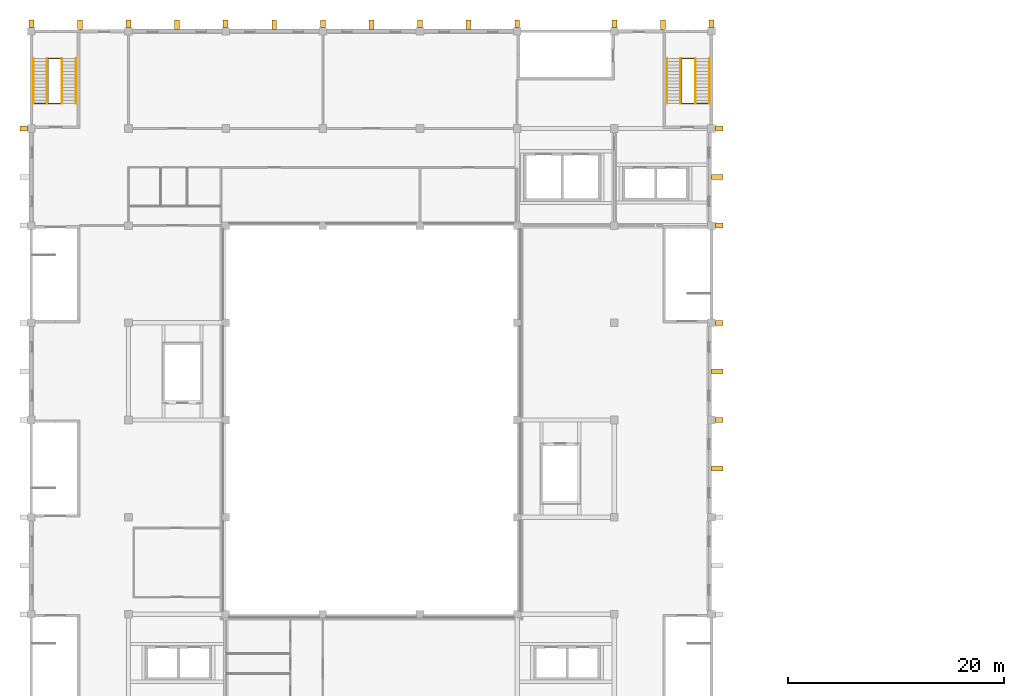
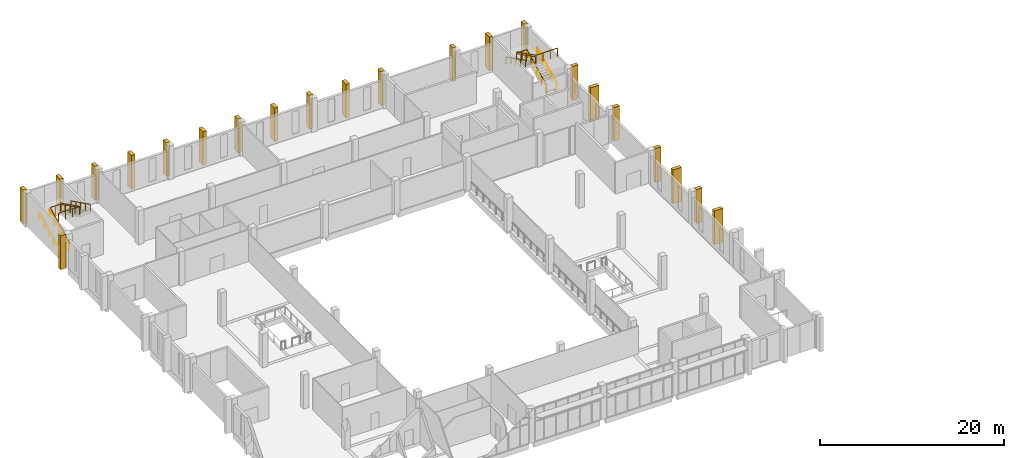
# One storey, part 38 of 40: 22 coverings, 10 railings.
"""IFC4 building model written with IfcOpenShell, lengths in metres."""

from ifc_helpers import new_model, si_unit, direction, frame, origin, origin_2d, place, context, subcontext, project, spatial, rectangle, circle, extrude, material, layer, layer_set, type_object, element, save


model = new_model("IFC4")

# Units and contexts
model_context = context("Model", 3, precision=1e-05, world=origin(), true_north=direction((0.0, 1.0)))
body_context = subcontext(model_context, "Body", "Model", "MODEL_VIEW")
ifc_project = project(units=[si_unit("LENGTHUNIT", "METRE"), si_unit("AREAUNIT", "SQUARE_METRE"), si_unit("VOLUMEUNIT", "CUBIC_METRE"), si_unit("PLANEANGLEUNIT", "RADIAN"), si_unit("MASSUNIT", "GRAM", prefix="KILO")], contexts=[model_context])

# Site, building, storey
site_placement = place(None, origin())
site = spatial("IfcSite", under=ifc_project, at=site_placement, CompositionType="ELEMENT")
building_placement = place(site_placement, origin())
building = spatial("IfcBuilding", under=site, at=building_placement, Name="Guidao Yard Department Store", CompositionType="ELEMENT")
storey_placement = place(building_placement, frame((0.0, 0.0, 24.0)))
storey = spatial("IfcBuildingStorey", under=building, at=storey_placement, Name="L05", CompositionType="ELEMENT", Elevation=24.0)

# Railings
ifc_material_1 = material(Name="Steel Q235", Category="steel")
railing_type_1 = type_object("IfcRailingType", Name="Guard steel balustrade 1100", PredefinedType="GUARDRAIL", material=ifc_material_1)
railing_1_placement = place(storey_placement, frame((1.52490234375, 101.300048828125, 0.14990234375)))
element("IfcRailing", 1, at=railing_1_placement, inside=storey, type_object=railing_type_1, Name="Stair A5 guard L05 5", PredefinedType="GUARDRAIL", context=body_context, shape_type="SweptSolid", body=[
    extrude(circle(Radius=0.02392578125, at=origin_2d()), frame((0.0, 0.0, 1.076171875), z_axis=(0.0, 0.894416792377, 0.447234392142), x_axis=(-1.0, 0.0, 0.0)), (0.0, 0.0, 1.0), 4.69580078125),
    extrude(circle(Radius=0.02392578125, at=origin_2d()), frame((0.0, 4.199951171875, 3.17626953125), z_axis=(1.0, 0.0, 0.0), x_axis=(0.0, 1.0, 0.0)), (0.0, 0.0, 1.0), 1.275146484375),
    extrude(circle(Radius=0.02392578125, at=origin_2d()), frame((1.275146484375, 4.199951171875, 3.17626953125), z_axis=(0.0, 0.0, 1.0), x_axis=(1.0, 0.0, 0.0)), (0.0, 0.0, 1.0), 0.14990234375),
    extrude(circle(Radius=0.02392578125, at=origin_2d()), frame((1.275146484375, 4.199951171875, 3.326171875), z_axis=(0.0, -0.894416792377, 0.447234392142), x_axis=(1.0, 0.0, 0.0)), (0.0, 0.0, 1.0), 4.69580078125),
    extrude(circle(Radius=0.02392578125, at=origin_2d()), frame((1.275146484375, 0.0, 5.42626953125), z_axis=(-1.0, 0.0, 0.0), x_axis=(0.0, -1.0, 0.0)), (0.0, 0.0, 1.0), 2.675048828125),
    extrude(circle(Radius=0.02099609375, at=origin_2d()), origin(), (0.0, 0.0, 1.0), 1.052001953125),
    extrude(circle(Radius=0.02099609375, at=origin_2d()), frame((0.0, 1.050048828125, 0.52490234375)), (0.0, 0.0, 1.0), 1.052001953125),
    extrude(circle(Radius=0.02099609375, at=origin_2d()), frame((0.0, 2.10009765625, 1.050048828125)), (0.0, 0.0, 1.0), 1.052001953125),
    extrude(circle(Radius=0.02099609375, at=origin_2d()), frame((0.0, 3.14990234375, 1.5751953125)), (0.0, 0.0, 1.0), 1.052001953125),
    extrude(circle(Radius=0.02099609375, at=origin_2d()), frame((0.0, 4.199951171875, 2.10009765625)), (0.0, 0.0, 1.0), 1.052001953125),
    extrude(circle(Radius=0.02099609375, at=origin_2d()), frame((0.6376953125, 4.199951171875, 2.10009765625)), (0.0, 0.0, 1.0), 1.052001953125),
    extrude(circle(Radius=0.02099609375, at=origin_2d()), frame((1.275146484375, 4.199951171875, 2.10009765625)), (0.0, 0.0, 1.0), 1.052001953125),
    extrude(circle(Radius=0.02099609375, at=origin_2d()), frame((1.275146484375, 4.199951171875, 2.25)), (0.0, 0.0, 1.0), 1.052001953125),
    extrude(circle(Radius=0.02099609375, at=origin_2d()), frame((1.275146484375, 3.14990234375, 2.77490234375)), (0.0, 0.0, 1.0), 1.052001953125),
    extrude(circle(Radius=0.02099609375, at=origin_2d()), frame((1.275146484375, 2.10009765625, 3.300048828125)), (0.0, 0.0, 1.0), 1.052001953125),
    extrude(circle(Radius=0.02099609375, at=origin_2d()), frame((1.275146484375, 1.050048828125, 3.8251953125)), (0.0, 0.0, 1.0), 1.052001953125),
    extrude(circle(Radius=0.02099609375, at=origin_2d()), frame((1.275146484375, 0.0, 4.35009765625)), (0.0, 0.0, 1.0), 1.052001953125),
    extrude(circle(Radius=0.02099609375, at=origin_2d()), frame((0.383544921875, 0.0, 4.35009765625)), (0.0, 0.0, 1.0), 1.052001953125),
    extrude(circle(Radius=0.02099609375, at=origin_2d()), frame((-0.50830078125, 0.0, 4.35009765625)), (0.0, 0.0, 1.0), 1.052001953125),
    extrude(circle(Radius=0.02099609375, at=origin_2d()), frame((-1.39990234375, 0.0, 4.35009765625)), (0.0, 0.0, 1.0), 1.052001953125),
])
railing_2_placement = place(storey_placement, frame((61.47509765625, 101.300048828125, 0.14990234375)))
element("IfcRailing", 2, at=railing_2_placement, inside=storey, type_object=railing_type_1, Name="Stair A6 guard L05 6", PredefinedType="GUARDRAIL", context=body_context, shape_type="SweptSolid", body=[
    extrude(circle(Radius=0.02392578125, at=origin_2d()), frame((0.0, 0.0, 1.076171875), z_axis=(0.0, 0.894416792377, 0.447234392142), x_axis=(-1.0, 0.0, 0.0)), (0.0, 0.0, 1.0), 4.69580078125),
    extrude(circle(Radius=0.02392578125, at=origin_2d()), frame((0.0, 4.199951171875, 3.17626953125), z_axis=(-1.0, 0.0, 0.0), x_axis=(0.0, -1.0, 0.0)), (0.0, 0.0, 1.0), 1.275146484375),
    extrude(circle(Radius=0.02392578125, at=origin_2d()), frame((-1.275146484375, 4.199951171875, 3.17626953125), z_axis=(0.0, 0.0, 1.0), x_axis=(1.0, 0.0, 0.0)), (0.0, 0.0, 1.0), 0.14990234375),
    extrude(circle(Radius=0.02392578125, at=origin_2d()), frame((-1.275146484375, 4.199951171875, 3.326171875), z_axis=(0.0, -0.894416792377, 0.447234392142), x_axis=(1.0, 0.0, 0.0)), (0.0, 0.0, 1.0), 4.69580078125),
    extrude(circle(Radius=0.02392578125, at=origin_2d()), frame((-1.275146484375, 0.0, 5.42626953125), z_axis=(1.0, 0.0, 0.0), x_axis=(0.0, 1.0, 0.0)), (0.0, 0.0, 1.0), 2.675048828125),
    extrude(circle(Radius=0.02099609375, at=origin_2d()), origin(), (0.0, 0.0, 1.0), 1.052001953125),
    extrude(circle(Radius=0.02099609375, at=origin_2d()), frame((0.0, 1.050048828125, 0.52490234375)), (0.0, 0.0, 1.0), 1.052001953125),
    extrude(circle(Radius=0.02099609375, at=origin_2d()), frame((0.0, 2.10009765625, 1.050048828125)), (0.0, 0.0, 1.0), 1.052001953125),
    extrude(circle(Radius=0.02099609375, at=origin_2d()), frame((0.0, 3.14990234375, 1.5751953125)), (0.0, 0.0, 1.0), 1.052001953125),
    extrude(circle(Radius=0.02099609375, at=origin_2d()), frame((0.0, 4.199951171875, 2.10009765625)), (0.0, 0.0, 1.0), 1.052001953125),
    extrude(circle(Radius=0.02099609375, at=origin_2d()), frame((-0.6376953125, 4.199951171875, 2.10009765625)), (0.0, 0.0, 1.0), 1.052001953125),
    extrude(circle(Radius=0.02099609375, at=origin_2d()), frame((-1.275146484375, 4.199951171875, 2.10009765625)), (0.0, 0.0, 1.0), 1.052001953125),
    extrude(circle(Radius=0.02099609375, at=origin_2d()), frame((-1.275146484375, 4.199951171875, 2.25)), (0.0, 0.0, 1.0), 1.052001953125),
    extrude(circle(Radius=0.02099609375, at=origin_2d()), frame((-1.275146484375, 3.14990234375, 2.77490234375)), (0.0, 0.0, 1.0), 1.052001953125),
    extrude(circle(Radius=0.02099609375, at=origin_2d()), frame((-1.275146484375, 2.10009765625, 3.300048828125)), (0.0, 0.0, 1.0), 1.052001953125),
    extrude(circle(Radius=0.02099609375, at=origin_2d()), frame((-1.275146484375, 1.050048828125, 3.8251953125)), (0.0, 0.0, 1.0), 1.052001953125),
    extrude(circle(Radius=0.02099609375, at=origin_2d()), frame((-1.275146484375, 0.0, 4.35009765625)), (0.0, 0.0, 1.0), 1.052001953125),
    extrude(circle(Radius=0.02099609375, at=origin_2d()), frame((-0.383544921875, 0.0, 4.35009765625)), (0.0, 0.0, 1.0), 1.052001953125),
    extrude(circle(Radius=0.02099609375, at=origin_2d()), frame((0.50830078125, 0.0, 4.35009765625)), (0.0, 0.0, 1.0), 1.052001953125),
    extrude(circle(Radius=0.02099609375, at=origin_2d()), frame((1.39990234375, 0.0, 4.35009765625)), (0.0, 0.0, 1.0), 1.052001953125),
])
ifc_material_2 = material(Name="Steel Q235", Category="steel")
railing_type_2 = type_object("IfcRailingType", Name="Handrail steel tube 48", PredefinedType="HANDRAIL", material=ifc_material_2)
for number, where, name in (
    (3, (0.18505859375, 101.300048828125, 0.14990234375), "Stair A5 hand rail L05 1"),
    (4, (1.465087890625, 101.300048828125, 0.14990234375), "Stair A5 hand rail L05 2"),
):
    element("IfcRailing", number, at=place(storey_placement, frame(where)), inside=storey, type_object=railing_type_2, Name=name, PredefinedType="HANDRAIL", context=body_context, shape_type="SweptSolid", body=[
        extrude(circle(Radius=0.02392578125, at=origin_2d()), frame((0.0, 0.0, 0.8759765625), z_axis=(0.0, 0.894416792377, 0.447234392142), x_axis=(-1.0, 0.0, 0.0)), (0.0, 0.0, 1.0), 4.69580078125),
        extrude(circle(Radius=0.02099609375, at=origin_2d()), origin(), (0.0, 0.0, 1.0), 0.851806640625),
        extrude(circle(Radius=0.02099609375, at=origin_2d()), frame((0.0, 1.050048828125, 0.52490234375)), (0.0, 0.0, 1.0), 0.851806640625),
        extrude(circle(Radius=0.02099609375, at=origin_2d()), frame((0.0, 2.10009765625, 1.050048828125)), (0.0, 0.0, 1.0), 0.851806640625),
        extrude(circle(Radius=0.02099609375, at=origin_2d()), frame((0.0, 3.14990234375, 1.5751953125)), (0.0, 0.0, 1.0), 0.851806640625),
        extrude(circle(Radius=0.02099609375, at=origin_2d()), frame((0.0, 4.199951171875, 2.10009765625)), (0.0, 0.0, 1.0), 0.851806640625),
    ])
for number, where, name in (
    (5, (2.860107421875, 105.5, 2.39990234375), "Stair A5 hand rail L05 3"),
    (6, (4.139892578125, 105.5, 2.39990234375), "Stair A5 hand rail L05 4"),
):
    element("IfcRailing", number, at=place(storey_placement, frame(where)), inside=storey, type_object=railing_type_2, Name=name, PredefinedType="HANDRAIL", context=body_context, shape_type="SweptSolid", body=[
        extrude(circle(Radius=0.02392578125, at=origin_2d()), frame((0.0, 0.0, 0.8759765625), z_axis=(0.0, -0.894416792377, 0.447234392142), x_axis=(1.0, 0.0, 0.0)), (0.0, 0.0, 1.0), 4.69580078125),
        extrude(circle(Radius=0.02099609375, at=origin_2d()), origin(), (0.0, 0.0, 1.0), 0.851806640625),
        extrude(circle(Radius=0.02099609375, at=origin_2d()), frame((0.0, -1.050048828125, 0.52490234375)), (0.0, 0.0, 1.0), 0.851806640625),
        extrude(circle(Radius=0.02099609375, at=origin_2d()), frame((0.0, -2.10009765625, 1.050048828125)), (0.0, 0.0, 1.0), 0.851806640625),
        extrude(circle(Radius=0.02099609375, at=origin_2d()), frame((0.0, -3.14990234375, 1.5751953125)), (0.0, 0.0, 1.0), 0.851806640625),
        extrude(circle(Radius=0.02099609375, at=origin_2d()), frame((0.0, -4.199951171875, 2.10009765625)), (0.0, 0.0, 1.0), 0.851806640625),
    ])
for number, where, name in (
    (7, (62.81494140625, 101.300048828125, 0.14990234375), "Stair A6 hand rail L05 5"),
    (8, (61.534912109375, 101.300048828125, 0.14990234375), "Stair A6 hand rail L05 6"),
):
    element("IfcRailing", number, at=place(storey_placement, frame(where)), inside=storey, type_object=railing_type_2, Name=name, PredefinedType="HANDRAIL", context=body_context, shape_type="SweptSolid", body=[
        extrude(circle(Radius=0.02392578125, at=origin_2d()), frame((0.0, 0.0, 0.8759765625), z_axis=(0.0, 0.894416792377, 0.447234392142), x_axis=(-1.0, 0.0, 0.0)), (0.0, 0.0, 1.0), 4.69580078125),
        extrude(circle(Radius=0.02099609375, at=origin_2d()), origin(), (0.0, 0.0, 1.0), 0.851806640625),
        extrude(circle(Radius=0.02099609375, at=origin_2d()), frame((0.0, 1.050048828125, 0.52490234375)), (0.0, 0.0, 1.0), 0.851806640625),
        extrude(circle(Radius=0.02099609375, at=origin_2d()), frame((0.0, 2.10009765625, 1.050048828125)), (0.0, 0.0, 1.0), 0.851806640625),
        extrude(circle(Radius=0.02099609375, at=origin_2d()), frame((0.0, 3.14990234375, 1.5751953125)), (0.0, 0.0, 1.0), 0.851806640625),
        extrude(circle(Radius=0.02099609375, at=origin_2d()), frame((0.0, 4.199951171875, 2.10009765625)), (0.0, 0.0, 1.0), 0.851806640625),
    ])
for number, where, name in (
    (9, (60.139892578125, 105.5, 2.39990234375), "Stair A6 hand rail L05 7"),
    (10, (58.860107421875, 105.5, 2.39990234375), "Stair A6 hand rail L05 8"),
):
    element("IfcRailing", number, at=place(storey_placement, frame(where)), inside=storey, type_object=railing_type_2, Name=name, PredefinedType="HANDRAIL", context=body_context, shape_type="SweptSolid", body=[
        extrude(circle(Radius=0.02392578125, at=origin_2d()), frame((0.0, 0.0, 0.8759765625), z_axis=(0.0, -0.894416792377, 0.447234392142), x_axis=(1.0, 0.0, 0.0)), (0.0, 0.0, 1.0), 4.69580078125),
        extrude(circle(Radius=0.02099609375, at=origin_2d()), origin(), (0.0, 0.0, 1.0), 0.851806640625),
        extrude(circle(Radius=0.02099609375, at=origin_2d()), frame((0.0, -1.050048828125, 0.52490234375)), (0.0, 0.0, 1.0), 0.851806640625),
        extrude(circle(Radius=0.02099609375, at=origin_2d()), frame((0.0, -2.10009765625, 1.050048828125)), (0.0, 0.0, 1.0), 0.851806640625),
        extrude(circle(Radius=0.02099609375, at=origin_2d()), frame((0.0, -3.14990234375, 1.5751953125)), (0.0, 0.0, 1.0), 0.851806640625),
        extrude(circle(Radius=0.02099609375, at=origin_2d()), frame((0.0, -4.199951171875, 2.10009765625)), (0.0, 0.0, 1.0), 0.851806640625),
    ])

# Coverings
ifc_material_3 = material(Name="Precast concrete C40/50", Category="concrete")
ifc_layer = layer(ifc_material_3, 0.449951171875)
ifc_layer_set = layer_set([ifc_layer], Name="Precast fin FN1 board-formed concrete")
covering_type = type_object("IfcCoveringType", Name="Precast fin FN1 board-formed concrete", PredefinedType="CLADDING", material=ifc_layer_set)
for number, where, z_axis, x_axis, name in (
    (11, (-0.699951171875, 99.0, 0.0), (0.0, 0.0, 1.0), (0.0, 1.0, 0.0), "Precast fin"),
    (12, (0.0, 108.699951171875, 0.0), (0.0, 0.0, 1.0), (1.0, 0.0, 0.0), "Precast fin"),
):
    element("IfcCovering", number, at=place(storey_placement, frame(where, z_axis=z_axis, x_axis=x_axis)), inside=storey, type_object=covering_type, Name=name, PredefinedType="CLADDING", context=body_context, shape_type="SweptSolid", body=[
        extrude(rectangle(XDim=0.449951171875, YDim=0.699951171875, at=origin_2d()), origin(), (0.0, 0.0, 1.0), 4.5),
    ])
covering_1_placement = place(storey_placement, frame((4.5, 108.60009765625, 0.0), z_axis=(0.0, 0.0, 1.0), x_axis=(1.0, 0.0, 0.0)))
element("IfcCovering", 13, at=covering_1_placement, inside=storey, type_object=covering_type, Name="Precast fin", PredefinedType="CLADDING", context=body_context, shape_type="SweptSolid", body=[
    extrude(rectangle(XDim=0.449951171875, YDim=0.89990234375, at=origin_2d()), origin(), (0.0, 0.0, 1.0), 4.5),
])
covering_2_placement = place(storey_placement, frame((9.0, 108.699951171875, 0.0), z_axis=(0.0, 0.0, 1.0), x_axis=(1.0, 0.0, 0.0)))
element("IfcCovering", 14, at=covering_2_placement, inside=storey, type_object=covering_type, Name="Precast fin", PredefinedType="CLADDING", context=body_context, shape_type="SweptSolid", body=[
    extrude(rectangle(XDim=0.449951171875, YDim=0.699951171875, at=origin_2d()), origin(), (0.0, 0.0, 1.0), 4.5),
])
covering_3_placement = place(storey_placement, frame((13.5, 108.60009765625, 0.0), z_axis=(0.0, 0.0, 1.0), x_axis=(1.0, 0.0, 0.0)))
element("IfcCovering", 15, at=covering_3_placement, inside=storey, type_object=covering_type, Name="Precast fin", PredefinedType="CLADDING", context=body_context, shape_type="SweptSolid", body=[
    extrude(rectangle(XDim=0.449951171875, YDim=0.89990234375, at=origin_2d()), origin(), (0.0, 0.0, 1.0), 4.5),
])
covering_4_placement = place(storey_placement, frame((18.0, 108.699951171875, 0.0), z_axis=(0.0, 0.0, 1.0), x_axis=(1.0, 0.0, 0.0)))
element("IfcCovering", 16, at=covering_4_placement, inside=storey, type_object=covering_type, Name="Precast fin", PredefinedType="CLADDING", context=body_context, shape_type="SweptSolid", body=[
    extrude(rectangle(XDim=0.449951171875, YDim=0.699951171875, at=origin_2d()), origin(), (0.0, 0.0, 1.0), 4.5),
])
covering_5_placement = place(storey_placement, frame((22.5, 108.60009765625, 0.0), z_axis=(0.0, 0.0, 1.0), x_axis=(1.0, 0.0, 0.0)))
element("IfcCovering", 17, at=covering_5_placement, inside=storey, type_object=covering_type, Name="Precast fin", PredefinedType="CLADDING", context=body_context, shape_type="SweptSolid", body=[
    extrude(rectangle(XDim=0.449951171875, YDim=0.89990234375, at=origin_2d()), origin(), (0.0, 0.0, 1.0), 4.5),
])
covering_6_placement = place(storey_placement, frame((27.0, 108.699951171875, 0.0), z_axis=(0.0, 0.0, 1.0), x_axis=(1.0, 0.0, 0.0)))
element("IfcCovering", 18, at=covering_6_placement, inside=storey, type_object=covering_type, Name="Precast fin", PredefinedType="CLADDING", context=body_context, shape_type="SweptSolid", body=[
    extrude(rectangle(XDim=0.449951171875, YDim=0.699951171875, at=origin_2d()), origin(), (0.0, 0.0, 1.0), 4.5),
])
covering_7_placement = place(storey_placement, frame((31.5, 108.60009765625, 0.0), z_axis=(0.0, 0.0, 1.0), x_axis=(1.0, 0.0, 0.0)))
element("IfcCovering", 19, at=covering_7_placement, inside=storey, type_object=covering_type, Name="Precast fin", PredefinedType="CLADDING", context=body_context, shape_type="SweptSolid", body=[
    extrude(rectangle(XDim=0.449951171875, YDim=0.89990234375, at=origin_2d()), origin(), (0.0, 0.0, 1.0), 4.5),
])
covering_8_placement = place(storey_placement, frame((36.0, 108.699951171875, 0.0), z_axis=(0.0, 0.0, 1.0), x_axis=(1.0, 0.0, 0.0)))
element("IfcCovering", 20, at=covering_8_placement, inside=storey, type_object=covering_type, Name="Precast fin", PredefinedType="CLADDING", context=body_context, shape_type="SweptSolid", body=[
    extrude(rectangle(XDim=0.449951171875, YDim=0.699951171875, at=origin_2d()), origin(), (0.0, 0.0, 1.0), 4.5),
])
covering_9_placement = place(storey_placement, frame((40.5, 108.60009765625, 0.0), z_axis=(0.0, 0.0, 1.0), x_axis=(1.0, 0.0, 0.0)))
element("IfcCovering", 21, at=covering_9_placement, inside=storey, type_object=covering_type, Name="Precast fin", PredefinedType="CLADDING", context=body_context, shape_type="SweptSolid", body=[
    extrude(rectangle(XDim=0.449951171875, YDim=0.89990234375, at=origin_2d()), origin(), (0.0, 0.0, 1.0), 4.5),
])
for number, where, z_axis, x_axis, name in (
    (22, (45.0, 108.699951171875, 0.0), (0.0, 0.0, 1.0), (1.0, 0.0, 0.0), "Precast fin"),
    (23, (54.0, 108.699951171875, 0.0), (0.0, 0.0, 1.0), (1.0, 0.0, 0.0), "Precast fin"),
):
    element("IfcCovering", number, at=place(storey_placement, frame(where, z_axis=z_axis, x_axis=x_axis)), inside=storey, type_object=covering_type, Name=name, PredefinedType="CLADDING", context=body_context, shape_type="SweptSolid", body=[
        extrude(rectangle(XDim=0.449951171875, YDim=0.699951171875, at=origin_2d()), origin(), (0.0, 0.0, 1.0), 4.5),
    ])
covering_10_placement = place(storey_placement, frame((58.5, 108.60009765625, 0.0), z_axis=(0.0, 0.0, 1.0), x_axis=(1.0, 0.0, 0.0)))
element("IfcCovering", 24, at=covering_10_placement, inside=storey, type_object=covering_type, Name="Precast fin", PredefinedType="CLADDING", context=body_context, shape_type="SweptSolid", body=[
    extrude(rectangle(XDim=0.449951171875, YDim=0.89990234375, at=origin_2d()), origin(), (0.0, 0.0, 1.0), 4.5),
])
covering_11_placement = place(storey_placement, frame((63.0, 108.699951171875, 0.0), z_axis=(0.0, 0.0, 1.0), x_axis=(1.0, 0.0, 0.0)))
element("IfcCovering", 25, at=covering_11_placement, inside=storey, type_object=covering_type, Name="Precast fin", PredefinedType="CLADDING", context=body_context, shape_type="SweptSolid", body=[
    extrude(rectangle(XDim=0.449951171875, YDim=0.699951171875, at=origin_2d()), origin(), (0.0, 0.0, 1.0), 4.5),
])
covering_12_placement = place(storey_placement, frame((63.52490234375, 67.5, 0.0), z_axis=(0.0, 0.0, 1.0), x_axis=(0.0, -1.0, 0.0)))
element("IfcCovering", 26, at=covering_12_placement, inside=storey, type_object=covering_type, Name="Precast fin", PredefinedType="CLADDING", context=body_context, shape_type="SweptSolid", body=[
    extrude(rectangle(XDim=0.449951171875, YDim=1.050048828125, at=origin_2d()), origin(), (0.0, 0.0, 1.0), 4.5),
])
covering_13_placement = place(storey_placement, frame((63.699951171875, 72.0, 0.0), z_axis=(0.0, 0.0, 1.0), x_axis=(0.0, -1.0, 0.0)))
element("IfcCovering", 27, at=covering_13_placement, inside=storey, type_object=covering_type, Name="Precast fin", PredefinedType="CLADDING", context=body_context, shape_type="SweptSolid", body=[
    extrude(rectangle(XDim=0.449951171875, YDim=0.699951171875, at=origin_2d()), origin(), (0.0, 0.0, 1.0), 4.5),
])
covering_14_placement = place(storey_placement, frame((63.52490234375, 76.5, 0.0), z_axis=(0.0, 0.0, 1.0), x_axis=(0.0, -1.0, 0.0)))
element("IfcCovering", 28, at=covering_14_placement, inside=storey, type_object=covering_type, Name="Precast fin", PredefinedType="CLADDING", context=body_context, shape_type="SweptSolid", body=[
    extrude(rectangle(XDim=0.449951171875, YDim=1.050048828125, at=origin_2d()), origin(), (0.0, 0.0, 1.0), 4.5),
])
for number, where, z_axis, x_axis, name in (
    (29, (63.699951171875, 81.0, 0.0), (0.0, 0.0, 1.0), (0.0, -1.0, 0.0), "Precast fin"),
    (30, (63.699951171875, 90.0, 0.0), (0.0, 0.0, 1.0), (0.0, -1.0, 0.0), "Precast fin"),
):
    element("IfcCovering", number, at=place(storey_placement, frame(where, z_axis=z_axis, x_axis=x_axis)), inside=storey, type_object=covering_type, Name=name, PredefinedType="CLADDING", context=body_context, shape_type="SweptSolid", body=[
        extrude(rectangle(XDim=0.449951171875, YDim=0.699951171875, at=origin_2d()), origin(), (0.0, 0.0, 1.0), 4.5),
    ])
covering_15_placement = place(storey_placement, frame((63.52490234375, 94.5, 0.0), z_axis=(0.0, 0.0, 1.0), x_axis=(0.0, -1.0, 0.0)))
element("IfcCovering", 31, at=covering_15_placement, inside=storey, type_object=covering_type, Name="Precast fin", PredefinedType="CLADDING", context=body_context, shape_type="SweptSolid", body=[
    extrude(rectangle(XDim=0.449951171875, YDim=1.050048828125, at=origin_2d()), origin(), (0.0, 0.0, 1.0), 4.5),
])
covering_16_placement = place(storey_placement, frame((63.699951171875, 99.0, 0.0), z_axis=(0.0, 0.0, 1.0), x_axis=(0.0, -1.0, 0.0)))
element("IfcCovering", 32, at=covering_16_placement, inside=storey, type_object=covering_type, Name="Precast fin", PredefinedType="CLADDING", context=body_context, shape_type="SweptSolid", body=[
    extrude(rectangle(XDim=0.449951171875, YDim=0.699951171875, at=origin_2d()), origin(), (0.0, 0.0, 1.0), 4.5),
])

save(model, "model.ifc")
